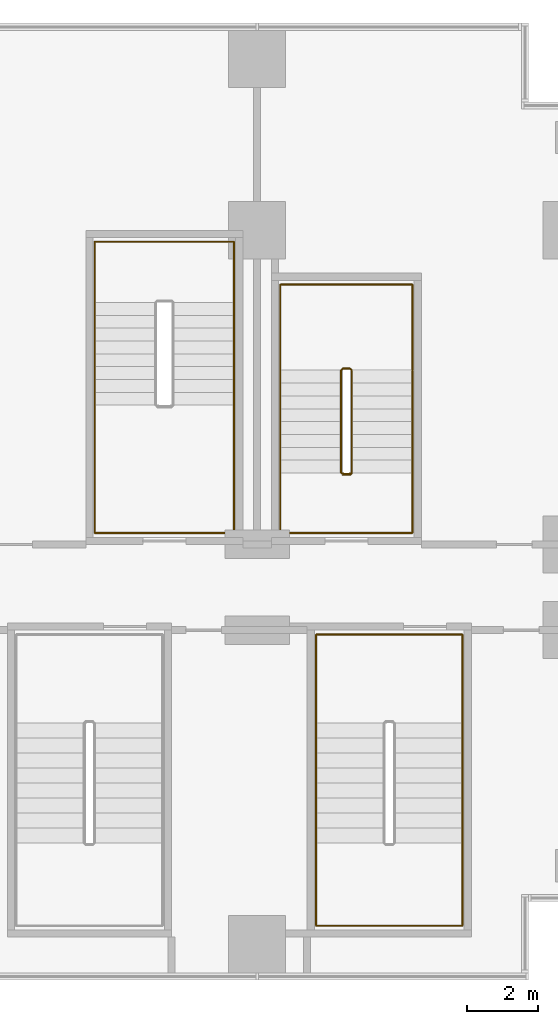
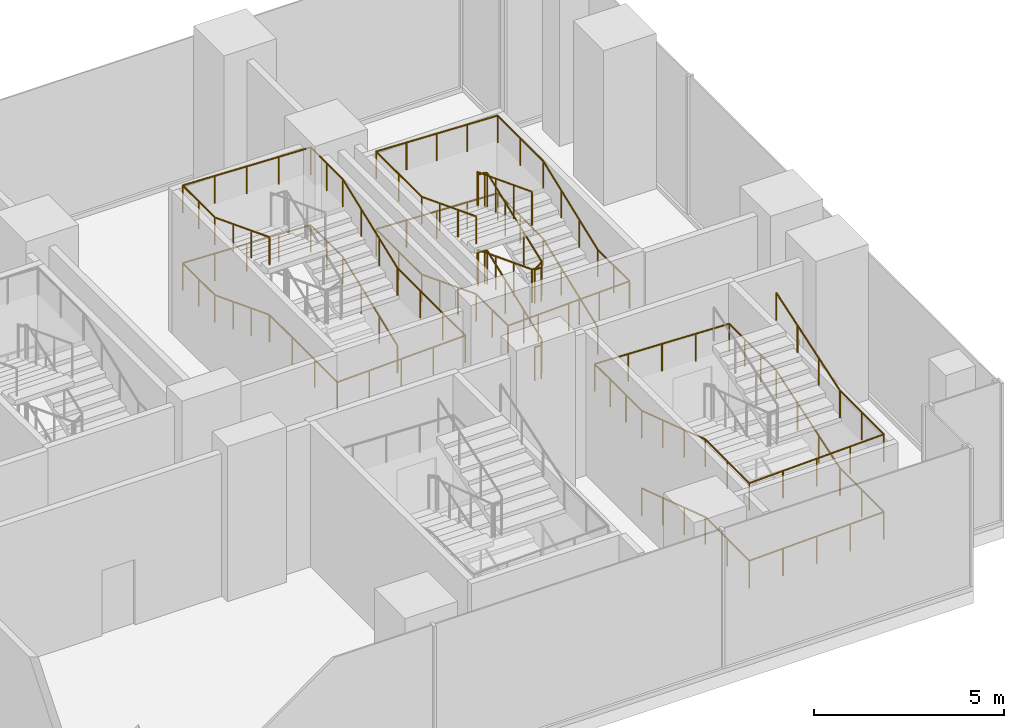
# One storey, part 29 of 30: 4 railings.
"""IFC4 building model written with IfcOpenShell, lengths in metres."""

from ifc_helpers import new_model, si_unit, direction, frame, origin, origin_2d, place, context, subcontext, project, spatial, circle, extrude, material, type_object, element, save


model = new_model("IFC4")

# Units and contexts
model_context = context("Model", 3, precision=1e-05, world=origin(), true_north=direction((0.0, 1.0)))
body_context = subcontext(model_context, "Body", "Model", "MODEL_VIEW")
ifc_project = project(units=[si_unit("LENGTHUNIT", "METRE"), si_unit("AREAUNIT", "SQUARE_METRE"), si_unit("VOLUMEUNIT", "CUBIC_METRE"), si_unit("PLANEANGLEUNIT", "RADIAN"), si_unit("MASSUNIT", "GRAM", prefix="KILO")], contexts=[model_context])

# Site, building, storey
site_placement = place(None, origin())
site = spatial("IfcSite", under=ifc_project, at=site_placement, CompositionType="ELEMENT")
building_placement = place(site_placement, origin())
building = spatial("IfcBuilding", under=site, at=building_placement, Name="Kemantara Hotel Tower", CompositionType="ELEMENT")
storey_placement = place(building_placement, frame((0.0, 0.0, 13.0)))
storey = spatial("IfcBuildingStorey", under=building, at=storey_placement, Name="L02", CompositionType="ELEMENT", Elevation=13.0)

# Railings
ifc_material = material(Name="Stainless steel balustrade", Category="steel")
railing_type_1 = type_object("IfcRailingType", Name="Stair guard 1100 mm", PredefinedType="GUARDRAIL", material=ifc_material)
railing_1_placement = place(storey_placement, frame((73.75, 14.199951171875, 5.0)))
element("IfcRailing", 1, at=railing_1_placement, inside=storey, type_object=railing_type_1, Name="L02 ST5 stair guard 1", PredefinedType="GUARDRAIL", context=body_context, shape_type="SweptSolid", body=[
    extrude(circle(Radius=0.02392578125, at=origin_2d()), frame((0.0, 0.0, 1.076171875), z_axis=(0.0, 0.932982310422, -0.359922225543), x_axis=(-1.0, 0.0, 0.0)), (0.0, 0.0, 1.0), 3.0869140625),
    extrude(circle(Radius=0.02392578125, at=origin_2d()), frame((0.0, 2.880126953125, -0.03515625), z_axis=(0.321175406682, 0.319608697381, -0.891457592206), x_axis=(-0.705375805398, 0.708833529934, 0.0)), (0.0, 0.0, 1.0), 0.15576171875),
    extrude(circle(Radius=0.02392578125, at=origin_2d()), frame((0.050048828125, 2.929931640625, -0.173828125), z_axis=(1.0, 0.0, 0.0), x_axis=(0.0, 1.0, 0.0)), (0.0, 0.0, 1.0), 0.199951171875),
    extrude(circle(Radius=0.02392578125, at=origin_2d()), frame((0.25, 2.929931640625, -0.173828125), z_axis=(0.708833529934, -0.705375805398, 0.0), x_axis=(0.705375805398, 0.708833529934, 0.0)), (0.0, 0.0, 1.0), 0.070556640625),
    extrude(circle(Radius=0.02392578125, at=origin_2d()), frame((0.300048828125, 2.880126953125, -0.173828125), z_axis=(0.0, -0.932982310422, -0.359922225543), x_axis=(1.0, 0.0, 0.0)), (0.0, 0.0, 1.0), 3.0869140625),
    extrude(circle(Radius=0.02392578125, at=origin_2d()), frame((0.300048828125, 0.0, -1.28515625), z_axis=(-0.861032742868, -0.172374719031, -0.478444951847), x_axis=(0.196300278283, -0.98054382908, 0.0)), (0.0, 0.0, 1.0), 0.290283203125),
    extrude(circle(Radius=0.02392578125, at=origin_2d()), frame((0.050048828125, -0.050048828125, -1.423828125), z_axis=(1.0, 0.0, 0.0), x_axis=(0.0, 1.0, 0.0)), (0.0, 0.0, 1.0), 0.199951171875),
    extrude(circle(Radius=0.02392578125, at=origin_2d()), frame((0.25, -0.050048828125, -1.423828125), z_axis=(-0.98054382908, 0.196300278283, 0.0), x_axis=(-0.196300278283, -0.98054382908, 0.0)), (0.0, 0.0, 1.0), 0.2548828125),
    extrude(circle(Radius=0.02392578125, at=origin_2d()), frame((0.0, 0.0, -1.423828125), z_axis=(0.0, 0.932982310422, -0.359922225543), x_axis=(-1.0, 0.0, 0.0)), (0.0, 0.0, 1.0), 3.0869140625),
    extrude(circle(Radius=0.02392578125, at=origin_2d()), frame((0.0, 2.880126953125, -2.53515625), z_axis=(0.321175406682, 0.319608697381, -0.891457592206), x_axis=(-0.705375805398, 0.708833529934, 0.0)), (0.0, 0.0, 1.0), 0.15576171875),
    extrude(circle(Radius=0.02392578125, at=origin_2d()), frame((0.050048828125, 2.929931640625, -2.673828125), z_axis=(1.0, 0.0, 0.0), x_axis=(0.0, 1.0, 0.0)), (0.0, 0.0, 1.0), 0.199951171875),
    extrude(circle(Radius=0.02392578125, at=origin_2d()), frame((0.25, 2.929931640625, -2.673828125), z_axis=(0.708833529934, -0.705375805398, 0.0), x_axis=(0.705375805398, 0.708833529934, 0.0)), (0.0, 0.0, 1.0), 0.070556640625),
    extrude(circle(Radius=0.02392578125, at=origin_2d()), frame((0.300048828125, 2.880126953125, -2.673828125), z_axis=(0.0, -0.932982310422, -0.359922225543), x_axis=(1.0, 0.0, 0.0)), (0.0, 0.0, 1.0), 3.0869140625),
    extrude(circle(Radius=0.02392578125, at=origin_2d()), frame((0.300048828125, 0.0, -3.78515625), z_axis=(-0.321014310373, -0.321014310373, -0.891010451718), x_axis=(0.707106781187, -0.707106781187, 0.0)), (0.0, 0.0, 1.0), 0.156005859375),
    extrude(circle(Radius=0.02392578125, at=origin_2d()), frame((0.25, -0.050048828125, -3.923828125), z_axis=(-1.0, 0.0, 0.0), x_axis=(0.0, -1.0, 0.0)), (0.0, 0.0, 1.0), 0.199951171875),
    extrude(circle(Radius=0.02099609375, at=origin_2d()), origin(), (0.0, 0.0, 1.0), 1.052001953125),
    extrude(circle(Radius=0.02099609375, at=origin_2d()), frame((0.0, 0.9599609375, -0.370361328125)), (0.0, 0.0, 1.0), 1.052001953125),
    extrude(circle(Radius=0.02099609375, at=origin_2d()), frame((0.0, 1.920166015625, -0.74072265625)), (0.0, 0.0, 1.0), 1.052001953125),
    extrude(circle(Radius=0.02099609375, at=origin_2d()), frame((0.0, 2.880126953125, -1.111083984375)), (0.0, 0.0, 1.0), 1.052001953125),
    extrude(circle(Radius=0.02099609375, at=origin_2d()), frame((0.050048828125, 2.929931640625, -1.25)), (0.0, 0.0, 1.0), 1.052001953125),
    extrude(circle(Radius=0.02099609375, at=origin_2d()), frame((0.25, 2.929931640625, -1.25)), (0.0, 0.0, 1.0), 1.052001953125),
    extrude(circle(Radius=0.02099609375, at=origin_2d()), frame((0.300048828125, 2.880126953125, -1.25)), (0.0, 0.0, 1.0), 1.052001953125),
    extrude(circle(Radius=0.02099609375, at=origin_2d()), frame((0.300048828125, 1.920166015625, -1.620361328125)), (0.0, 0.0, 1.0), 1.052001953125),
    extrude(circle(Radius=0.02099609375, at=origin_2d()), frame((0.300048828125, 0.9599609375, -1.99072265625)), (0.0, 0.0, 1.0), 1.052001953125),
    extrude(circle(Radius=0.02099609375, at=origin_2d()), frame((0.300048828125, 0.0, -2.361083984375)), (0.0, 0.0, 1.0), 1.052001953125),
    extrude(circle(Radius=0.02099609375, at=origin_2d()), frame((0.050048828125, -0.050048828125, -2.5)), (0.0, 0.0, 1.0), 1.052001953125),
    extrude(circle(Radius=0.02099609375, at=origin_2d()), frame((0.25, -0.050048828125, -2.5)), (0.0, 0.0, 1.0), 1.052001953125),
    extrude(circle(Radius=0.02099609375, at=origin_2d()), frame((0.0, 0.0, -2.5)), (0.0, 0.0, 1.0), 1.052001953125),
    extrude(circle(Radius=0.02099609375, at=origin_2d()), frame((0.0, 0.9599609375, -2.870361328125)), (0.0, 0.0, 1.0), 1.052001953125),
    extrude(circle(Radius=0.02099609375, at=origin_2d()), frame((0.0, 1.920166015625, -3.24072265625)), (0.0, 0.0, 1.0), 1.052001953125),
    extrude(circle(Radius=0.02099609375, at=origin_2d()), frame((0.0, 2.880126953125, -3.611083984375)), (0.0, 0.0, 1.0), 1.052001953125),
    extrude(circle(Radius=0.02099609375, at=origin_2d()), frame((0.050048828125, 2.929931640625, -3.75)), (0.0, 0.0, 1.0), 1.052001953125),
    extrude(circle(Radius=0.02099609375, at=origin_2d()), frame((0.25, 2.929931640625, -3.75)), (0.0, 0.0, 1.0), 1.052001953125),
    extrude(circle(Radius=0.02099609375, at=origin_2d()), frame((0.300048828125, 2.880126953125, -3.75)), (0.0, 0.0, 1.0), 1.052001953125),
    extrude(circle(Radius=0.02099609375, at=origin_2d()), frame((0.300048828125, 1.920166015625, -4.120361328125)), (0.0, 0.0, 1.0), 1.052001953125),
    extrude(circle(Radius=0.02099609375, at=origin_2d()), frame((0.300048828125, 0.9599609375, -4.49072265625)), (0.0, 0.0, 1.0), 1.052001953125),
    extrude(circle(Radius=0.02099609375, at=origin_2d()), frame((0.300048828125, 0.0, -4.861083984375)), (0.0, 0.0, 1.0), 1.052001953125),
    extrude(circle(Radius=0.02099609375, at=origin_2d()), frame((0.25, -0.050048828125, -5.0)), (0.0, 0.0, 1.0), 1.052001953125),
    extrude(circle(Radius=0.02099609375, at=origin_2d()), frame((0.050048828125, -0.050048828125, -5.0)), (0.0, 0.0, 1.0), 1.052001953125),
])
railing_type_2 = type_object("IfcRailingType", Name="Stair handrail 900 mm", PredefinedType="HANDRAIL", material=ifc_material)
railing_2_placement = place(storey_placement, frame((75.75, 14.199951171875, 0.138916015625)))
element("IfcRailing", 2, at=railing_2_placement, inside=storey, type_object=railing_type_2, Name="L02 ST5 stair handrail 1", PredefinedType="HANDRAIL", context=body_context, shape_type="SweptSolid", body=[
    extrude(circle(Radius=0.02392578125, at=origin_2d()), frame((0.0, 0.0, 0.8759765625), z_axis=(0.0, 0.932982310422, 0.359922225543), x_axis=(-1.0, 0.0, 0.0)), (0.0, 0.0, 1.0), 3.0869140625),
    extrude(circle(Radius=0.02392578125, at=origin_2d()), frame((0.0, 2.880126953125, 1.98681640625), z_axis=(0.0, 1.0, 0.0), x_axis=(-1.0, 0.0, 0.0)), (0.0, 0.0, 1.0), 2.39990234375),
    extrude(circle(Radius=0.02392578125, at=origin_2d()), frame((0.0, 5.280029296875, 1.98681640625), z_axis=(-0.999295917098, 0.0, 0.037518929517), x_axis=(0.0, -1.0, 0.0)), (0.0, 0.0, 1.0), 3.70263671875),
    extrude(circle(Radius=0.02392578125, at=origin_2d()), frame((-3.699951171875, 5.280029296875, 2.1259765625), z_axis=(0.0, -1.0, 0.0), x_axis=(1.0, 0.0, 0.0)), (0.0, 0.0, 1.0), 2.39990234375),
    extrude(circle(Radius=0.02392578125, at=origin_2d()), frame((-3.699951171875, 2.880126953125, 2.1259765625), z_axis=(0.0, -0.932982310422, 0.359922225543), x_axis=(1.0, 0.0, 0.0)), (0.0, 0.0, 1.0), 3.0869140625),
    extrude(circle(Radius=0.02392578125, at=origin_2d()), frame((-3.699951171875, 0.0, 3.23681640625), z_axis=(0.0, -1.0, 0.0), x_axis=(1.0, 0.0, 0.0)), (0.0, 0.0, 1.0), 1.679931640625),
    extrude(circle(Radius=0.02392578125, at=origin_2d()), frame((-3.699951171875, -1.679931640625, 3.23681640625), z_axis=(0.999295917098, 0.0, 0.037518929517), x_axis=(0.0, 1.0, 0.0)), (0.0, 0.0, 1.0), 3.70263671875),
    extrude(circle(Radius=0.02392578125, at=origin_2d()), frame((0.0, -1.679931640625, 3.3759765625), z_axis=(0.0, 1.0, 0.0), x_axis=(-1.0, 0.0, 0.0)), (0.0, 0.0, 1.0), 1.679931640625),
    extrude(circle(Radius=0.02392578125, at=origin_2d()), frame((0.0, 0.0, 3.3759765625), z_axis=(0.0, 0.932982310422, 0.359922225543), x_axis=(-1.0, 0.0, 0.0)), (0.0, 0.0, 1.0), 3.0869140625),
    extrude(circle(Radius=0.02392578125, at=origin_2d()), frame((0.0, 2.880126953125, 4.48681640625), z_axis=(0.0, 1.0, 0.0), x_axis=(-1.0, 0.0, 0.0)), (0.0, 0.0, 1.0), 2.39990234375),
    extrude(circle(Radius=0.02392578125, at=origin_2d()), frame((0.0, 5.280029296875, 4.48681640625), z_axis=(-0.999295917098, 0.0, 0.037518929517), x_axis=(0.0, -1.0, 0.0)), (0.0, 0.0, 1.0), 3.70263671875),
    extrude(circle(Radius=0.02392578125, at=origin_2d()), frame((-3.699951171875, 5.280029296875, 4.6259765625), z_axis=(0.0, -1.0, 0.0), x_axis=(1.0, 0.0, 0.0)), (0.0, 0.0, 1.0), 2.39990234375),
    extrude(circle(Radius=0.02392578125, at=origin_2d()), frame((-3.699951171875, 2.880126953125, 4.6259765625), z_axis=(0.0, -0.932982310422, 0.359922225543), x_axis=(1.0, 0.0, 0.0)), (0.0, 0.0, 1.0), 3.0869140625),
    extrude(circle(Radius=0.02099609375, at=origin_2d()), origin(), (0.0, 0.0, 1.0), 0.851806640625),
    extrude(circle(Radius=0.02099609375, at=origin_2d()), frame((0.0, 0.9599609375, 0.370361328125)), (0.0, 0.0, 1.0), 0.851806640625),
    extrude(circle(Radius=0.02099609375, at=origin_2d()), frame((0.0, 1.920166015625, 0.74072265625)), (0.0, 0.0, 1.0), 0.851806640625),
    extrude(circle(Radius=0.02099609375, at=origin_2d()), frame((0.0, 2.880126953125, 1.111083984375)), (0.0, 0.0, 1.0), 0.851806640625),
    extrude(circle(Radius=0.02099609375, at=origin_2d()), frame((0.0, 4.080078125, 1.111083984375)), (0.0, 0.0, 1.0), 0.851806640625),
    extrude(circle(Radius=0.02099609375, at=origin_2d()), frame((0.0, 5.280029296875, 1.111083984375)), (0.0, 0.0, 1.0), 0.851806640625),
    extrude(circle(Radius=0.02099609375, at=origin_2d()), frame((-0.925048828125, 5.280029296875, 1.145751953125)), (0.0, 0.0, 1.0), 0.851806640625),
    extrude(circle(Radius=0.02099609375, at=origin_2d()), frame((-1.85009765625, 5.280029296875, 1.1806640625)), (0.0, 0.0, 1.0), 0.851806640625),
    extrude(circle(Radius=0.02099609375, at=origin_2d()), frame((-2.77490234375, 5.280029296875, 1.21533203125)), (0.0, 0.0, 1.0), 0.851806640625),
    extrude(circle(Radius=0.02099609375, at=origin_2d()), frame((-3.699951171875, 5.280029296875, 1.25)), (0.0, 0.0, 1.0), 0.851806640625),
    extrude(circle(Radius=0.02099609375, at=origin_2d()), frame((-3.699951171875, 4.080078125, 1.25)), (0.0, 0.0, 1.0), 0.851806640625),
    extrude(circle(Radius=0.02099609375, at=origin_2d()), frame((-3.699951171875, 2.880126953125, 1.25)), (0.0, 0.0, 1.0), 0.851806640625),
    extrude(circle(Radius=0.02099609375, at=origin_2d()), frame((-3.699951171875, 1.920166015625, 1.620361328125)), (0.0, 0.0, 1.0), 0.851806640625),
    extrude(circle(Radius=0.02099609375, at=origin_2d()), frame((-3.699951171875, 0.9599609375, 1.99072265625)), (0.0, 0.0, 1.0), 0.851806640625),
    extrude(circle(Radius=0.02099609375, at=origin_2d()), frame((-3.699951171875, 0.0, 2.361083984375)), (0.0, 0.0, 1.0), 0.851806640625),
    extrude(circle(Radius=0.02099609375, at=origin_2d()), frame((-3.699951171875, -0.83984375, 2.361083984375)), (0.0, 0.0, 1.0), 0.851806640625),
    extrude(circle(Radius=0.02099609375, at=origin_2d()), frame((-3.699951171875, -1.679931640625, 2.361083984375)), (0.0, 0.0, 1.0), 0.851806640625),
    extrude(circle(Radius=0.02099609375, at=origin_2d()), frame((-2.77490234375, -1.679931640625, 2.395751953125)), (0.0, 0.0, 1.0), 0.851806640625),
    extrude(circle(Radius=0.02099609375, at=origin_2d()), frame((-1.85009765625, -1.679931640625, 2.4306640625)), (0.0, 0.0, 1.0), 0.851806640625),
    extrude(circle(Radius=0.02099609375, at=origin_2d()), frame((-0.925048828125, -1.679931640625, 2.46533203125)), (0.0, 0.0, 1.0), 0.851806640625),
    extrude(circle(Radius=0.02099609375, at=origin_2d()), frame((0.0, -1.679931640625, 2.5)), (0.0, 0.0, 1.0), 0.851806640625),
    extrude(circle(Radius=0.02099609375, at=origin_2d()), frame((0.0, -0.83984375, 2.5)), (0.0, 0.0, 1.0), 0.851806640625),
    extrude(circle(Radius=0.02099609375, at=origin_2d()), frame((0.0, 0.0, 2.5)), (0.0, 0.0, 1.0), 0.851806640625),
    extrude(circle(Radius=0.02099609375, at=origin_2d()), frame((0.0, 0.9599609375, 2.870361328125)), (0.0, 0.0, 1.0), 0.851806640625),
    extrude(circle(Radius=0.02099609375, at=origin_2d()), frame((0.0, 1.920166015625, 3.24072265625)), (0.0, 0.0, 1.0), 0.851806640625),
    extrude(circle(Radius=0.02099609375, at=origin_2d()), frame((0.0, 2.880126953125, 3.611083984375)), (0.0, 0.0, 1.0), 0.851806640625),
    extrude(circle(Radius=0.02099609375, at=origin_2d()), frame((0.0, 4.080078125, 3.611083984375)), (0.0, 0.0, 1.0), 0.851806640625),
    extrude(circle(Radius=0.02099609375, at=origin_2d()), frame((0.0, 5.280029296875, 3.611083984375)), (0.0, 0.0, 1.0), 0.851806640625),
    extrude(circle(Radius=0.02099609375, at=origin_2d()), frame((-0.925048828125, 5.280029296875, 3.645751953125)), (0.0, 0.0, 1.0), 0.851806640625),
    extrude(circle(Radius=0.02099609375, at=origin_2d()), frame((-1.85009765625, 5.280029296875, 3.6806640625)), (0.0, 0.0, 1.0), 0.851806640625),
    extrude(circle(Radius=0.02099609375, at=origin_2d()), frame((-2.77490234375, 5.280029296875, 3.71533203125)), (0.0, 0.0, 1.0), 0.851806640625),
    extrude(circle(Radius=0.02099609375, at=origin_2d()), frame((-3.699951171875, 5.280029296875, 3.75)), (0.0, 0.0, 1.0), 0.851806640625),
    extrude(circle(Radius=0.02099609375, at=origin_2d()), frame((-3.699951171875, 4.080078125, 3.75)), (0.0, 0.0, 1.0), 0.851806640625),
    extrude(circle(Radius=0.02099609375, at=origin_2d()), frame((-3.699951171875, 2.880126953125, 3.75)), (0.0, 0.0, 1.0), 0.851806640625),
    extrude(circle(Radius=0.02099609375, at=origin_2d()), frame((-3.699951171875, 1.920166015625, 4.120361328125)), (0.0, 0.0, 1.0), 0.851806640625),
    extrude(circle(Radius=0.02099609375, at=origin_2d()), frame((-3.699951171875, 0.9599609375, 4.49072265625)), (0.0, 0.0, 1.0), 0.851806640625),
    extrude(circle(Radius=0.02099609375, at=origin_2d()), frame((-3.699951171875, 0.0, 4.861083984375)), (0.0, 0.0, 1.0), 0.851806640625),
])
railing_3_placement = place(storey_placement, frame((70.75, 16.10009765625, 0.138916015625)))
element("IfcRailing", 3, at=railing_3_placement, inside=storey, type_object=railing_type_2, Name="L02 PS1 stair handrail 1", PredefinedType="HANDRAIL", context=body_context, shape_type="SweptSolid", body=[
    extrude(circle(Radius=0.02392578125, at=origin_2d()), frame((0.0, 0.0, 0.8759765625), z_axis=(0.0, 0.932972064118, 0.359948784656), x_axis=(-1.0, 0.0, 0.0)), (0.0, 0.0, 1.0), 3.086669921875),
    extrude(circle(Radius=0.02392578125, at=origin_2d()), frame((0.0, 2.8798828125, 1.98681640625), z_axis=(0.0, 1.0, 0.0), x_axis=(-1.0, 0.0, 0.0)), (0.0, 0.0, 1.0), 1.699951171875),
    extrude(circle(Radius=0.02392578125, at=origin_2d()), frame((0.0, 4.579833984375, 1.98681640625), z_axis=(-0.999366197222, 0.0, 0.035597806825), x_axis=(0.0, -1.0, 0.0)), (0.0, 0.0, 1.0), 3.90234375),
    extrude(circle(Radius=0.02392578125, at=origin_2d()), frame((-3.89990234375, 4.579833984375, 2.1259765625), z_axis=(0.0, -1.0, 0.0), x_axis=(1.0, 0.0, 0.0)), (0.0, 0.0, 1.0), 1.699951171875),
    extrude(circle(Radius=0.02392578125, at=origin_2d()), frame((-3.89990234375, 2.8798828125, 2.1259765625), z_axis=(0.0, -0.932972064118, 0.359948784656), x_axis=(1.0, 0.0, 0.0)), (0.0, 0.0, 1.0), 3.086669921875),
    extrude(circle(Radius=0.02392578125, at=origin_2d()), frame((-3.89990234375, 0.0, 3.23681640625), z_axis=(0.0, -1.0, 0.0), x_axis=(1.0, 0.0, 0.0)), (0.0, 0.0, 1.0), 3.580078125),
    extrude(circle(Radius=0.02392578125, at=origin_2d()), frame((-3.89990234375, -3.580078125, 3.23681640625), z_axis=(0.999366197222, 0.0, 0.035597806825), x_axis=(0.0, 1.0, 0.0)), (0.0, 0.0, 1.0), 3.90234375),
    extrude(circle(Radius=0.02392578125, at=origin_2d()), frame((0.0, -3.580078125, 3.3759765625), z_axis=(0.0, 1.0, 0.0), x_axis=(-1.0, 0.0, 0.0)), (0.0, 0.0, 1.0), 3.580078125),
    extrude(circle(Radius=0.02392578125, at=origin_2d()), frame((0.0, 0.0, 3.3759765625), z_axis=(0.0, 0.932972064118, 0.359948784656), x_axis=(-1.0, 0.0, 0.0)), (0.0, 0.0, 1.0), 3.086669921875),
    extrude(circle(Radius=0.02392578125, at=origin_2d()), frame((0.0, 2.8798828125, 4.48681640625), z_axis=(0.0, 1.0, 0.0), x_axis=(-1.0, 0.0, 0.0)), (0.0, 0.0, 1.0), 1.699951171875),
    extrude(circle(Radius=0.02392578125, at=origin_2d()), frame((0.0, 4.579833984375, 4.48681640625), z_axis=(-0.999366197222, 0.0, 0.035597806825), x_axis=(0.0, -1.0, 0.0)), (0.0, 0.0, 1.0), 3.90234375),
    extrude(circle(Radius=0.02392578125, at=origin_2d()), frame((-3.89990234375, 4.579833984375, 4.6259765625), z_axis=(0.0, -1.0, 0.0), x_axis=(1.0, 0.0, 0.0)), (0.0, 0.0, 1.0), 1.699951171875),
    extrude(circle(Radius=0.02392578125, at=origin_2d()), frame((-3.89990234375, 2.8798828125, 4.6259765625), z_axis=(0.0, -0.932972064118, 0.359948784656), x_axis=(1.0, 0.0, 0.0)), (0.0, 0.0, 1.0), 3.086669921875),
    extrude(circle(Radius=0.02099609375, at=origin_2d()), origin(), (0.0, 0.0, 1.0), 0.851806640625),
    extrude(circle(Radius=0.02099609375, at=origin_2d()), frame((0.0, 0.9599609375, 0.370361328125)), (0.0, 0.0, 1.0), 0.851806640625),
    extrude(circle(Radius=0.02099609375, at=origin_2d()), frame((0.0, 1.919921875, 0.74072265625)), (0.0, 0.0, 1.0), 0.851806640625),
    extrude(circle(Radius=0.02099609375, at=origin_2d()), frame((0.0, 2.8798828125, 1.111083984375)), (0.0, 0.0, 1.0), 0.851806640625),
    extrude(circle(Radius=0.02099609375, at=origin_2d()), frame((0.0, 3.72998046875, 1.111083984375)), (0.0, 0.0, 1.0), 0.851806640625),
    extrude(circle(Radius=0.02099609375, at=origin_2d()), frame((0.0, 4.579833984375, 1.111083984375)), (0.0, 0.0, 1.0), 0.851806640625),
    extrude(circle(Radius=0.02099609375, at=origin_2d()), frame((-0.97509765625, 4.579833984375, 1.145751953125)), (0.0, 0.0, 1.0), 0.851806640625),
    extrude(circle(Radius=0.02099609375, at=origin_2d()), frame((-1.949951171875, 4.579833984375, 1.1806640625)), (0.0, 0.0, 1.0), 0.851806640625),
    extrude(circle(Radius=0.02099609375, at=origin_2d()), frame((-2.9248046875, 4.579833984375, 1.21533203125)), (0.0, 0.0, 1.0), 0.851806640625),
    extrude(circle(Radius=0.02099609375, at=origin_2d()), frame((-3.89990234375, 4.579833984375, 1.25)), (0.0, 0.0, 1.0), 0.851806640625),
    extrude(circle(Radius=0.02099609375, at=origin_2d()), frame((-3.89990234375, 3.72998046875, 1.25)), (0.0, 0.0, 1.0), 0.851806640625),
    extrude(circle(Radius=0.02099609375, at=origin_2d()), frame((-3.89990234375, 2.8798828125, 1.25)), (0.0, 0.0, 1.0), 0.851806640625),
    extrude(circle(Radius=0.02099609375, at=origin_2d()), frame((-3.89990234375, 1.919921875, 1.620361328125)), (0.0, 0.0, 1.0), 0.851806640625),
    extrude(circle(Radius=0.02099609375, at=origin_2d()), frame((-3.89990234375, 0.9599609375, 1.99072265625)), (0.0, 0.0, 1.0), 0.851806640625),
    extrude(circle(Radius=0.02099609375, at=origin_2d()), frame((-3.89990234375, 0.0, 2.361083984375)), (0.0, 0.0, 1.0), 0.851806640625),
    extrude(circle(Radius=0.02099609375, at=origin_2d()), frame((-3.89990234375, -1.193359375, 2.361083984375)), (0.0, 0.0, 1.0), 0.851806640625),
    extrude(circle(Radius=0.02099609375, at=origin_2d()), frame((-3.89990234375, -2.38671875, 2.361083984375)), (0.0, 0.0, 1.0), 0.851806640625),
    extrude(circle(Radius=0.02099609375, at=origin_2d()), frame((-3.89990234375, -3.580078125, 2.361083984375)), (0.0, 0.0, 1.0), 0.851806640625),
    extrude(circle(Radius=0.02099609375, at=origin_2d()), frame((-2.9248046875, -3.580078125, 2.395751953125)), (0.0, 0.0, 1.0), 0.851806640625),
    extrude(circle(Radius=0.02099609375, at=origin_2d()), frame((-1.949951171875, -3.580078125, 2.4306640625)), (0.0, 0.0, 1.0), 0.851806640625),
    extrude(circle(Radius=0.02099609375, at=origin_2d()), frame((-0.97509765625, -3.580078125, 2.46533203125)), (0.0, 0.0, 1.0), 0.851806640625),
    extrude(circle(Radius=0.02099609375, at=origin_2d()), frame((0.0, -3.580078125, 2.5)), (0.0, 0.0, 1.0), 0.851806640625),
    extrude(circle(Radius=0.02099609375, at=origin_2d()), frame((0.0, -2.38671875, 2.5)), (0.0, 0.0, 1.0), 0.851806640625),
    extrude(circle(Radius=0.02099609375, at=origin_2d()), frame((0.0, -1.193359375, 2.5)), (0.0, 0.0, 1.0), 0.851806640625),
    extrude(circle(Radius=0.02099609375, at=origin_2d()), frame((0.0, 0.0, 2.5)), (0.0, 0.0, 1.0), 0.851806640625),
    extrude(circle(Radius=0.02099609375, at=origin_2d()), frame((0.0, 0.9599609375, 2.870361328125)), (0.0, 0.0, 1.0), 0.851806640625),
    extrude(circle(Radius=0.02099609375, at=origin_2d()), frame((0.0, 1.919921875, 3.24072265625)), (0.0, 0.0, 1.0), 0.851806640625),
    extrude(circle(Radius=0.02099609375, at=origin_2d()), frame((0.0, 2.8798828125, 3.611083984375)), (0.0, 0.0, 1.0), 0.851806640625),
    extrude(circle(Radius=0.02099609375, at=origin_2d()), frame((0.0, 3.72998046875, 3.611083984375)), (0.0, 0.0, 1.0), 0.851806640625),
    extrude(circle(Radius=0.02099609375, at=origin_2d()), frame((0.0, 4.579833984375, 3.611083984375)), (0.0, 0.0, 1.0), 0.851806640625),
    extrude(circle(Radius=0.02099609375, at=origin_2d()), frame((-0.97509765625, 4.579833984375, 3.645751953125)), (0.0, 0.0, 1.0), 0.851806640625),
    extrude(circle(Radius=0.02099609375, at=origin_2d()), frame((-1.949951171875, 4.579833984375, 3.6806640625)), (0.0, 0.0, 1.0), 0.851806640625),
    extrude(circle(Radius=0.02099609375, at=origin_2d()), frame((-2.9248046875, 4.579833984375, 3.71533203125)), (0.0, 0.0, 1.0), 0.851806640625),
    extrude(circle(Radius=0.02099609375, at=origin_2d()), frame((-3.89990234375, 4.579833984375, 3.75)), (0.0, 0.0, 1.0), 0.851806640625),
    extrude(circle(Radius=0.02099609375, at=origin_2d()), frame((-3.89990234375, 3.72998046875, 3.75)), (0.0, 0.0, 1.0), 0.851806640625),
    extrude(circle(Radius=0.02099609375, at=origin_2d()), frame((-3.89990234375, 2.8798828125, 3.75)), (0.0, 0.0, 1.0), 0.851806640625),
    extrude(circle(Radius=0.02099609375, at=origin_2d()), frame((-3.89990234375, 1.919921875, 4.120361328125)), (0.0, 0.0, 1.0), 0.851806640625),
    extrude(circle(Radius=0.02099609375, at=origin_2d()), frame((-3.89990234375, 0.9599609375, 4.49072265625)), (0.0, 0.0, 1.0), 0.851806640625),
    extrude(circle(Radius=0.02099609375, at=origin_2d()), frame((-3.89990234375, 0.0, 4.861083984375)), (0.0, 0.0, 1.0), 0.851806640625),
])
railing_4_placement = place(storey_placement, frame((73.050048828125, 7.199951171875, 0.138916015625)))
element("IfcRailing", 4, at=railing_4_placement, inside=storey, type_object=railing_type_2, Name="L02 PS5 stair handrail 1", PredefinedType="HANDRAIL", context=body_context, shape_type="SweptSolid", body=[
    extrude(circle(Radius=0.02392578125, at=origin_2d()), frame((0.0, 0.0, 0.8759765625), z_axis=(0.0, -0.949432600572, 0.313970917396), x_axis=(1.0, 0.0, 0.0)), (0.0, 0.0, 1.0), 3.538818359375),
    extrude(circle(Radius=0.02392578125, at=origin_2d()), frame((0.0, -3.35986328125, 1.98681640625), z_axis=(0.0, -1.0, 0.0), x_axis=(1.0, 0.0, 0.0)), (0.0, 0.0, 1.0), 2.320068359375),
    extrude(circle(Radius=0.02392578125, at=origin_2d()), frame((0.0, -5.679931640625, 1.98681640625), z_axis=(0.999426459345, 0.0, 0.033863732232), x_axis=(0.0, 1.0, 0.0)), (0.0, 0.0, 1.0), 4.102294921875),
    extrude(circle(Radius=0.02392578125, at=origin_2d()), frame((4.099853515625, -5.679931640625, 2.1259765625), z_axis=(0.0, 1.0, 0.0), x_axis=(-1.0, 0.0, 0.0)), (0.0, 0.0, 1.0), 2.320068359375),
    extrude(circle(Radius=0.02392578125, at=origin_2d()), frame((4.099853515625, -3.35986328125, 2.1259765625), z_axis=(0.0, 0.949432600572, 0.313970917396), x_axis=(-1.0, 0.0, 0.0)), (0.0, 0.0, 1.0), 3.538818359375),
    extrude(circle(Radius=0.02392578125, at=origin_2d()), frame((4.099853515625, 0.0, 3.23681640625), z_axis=(0.0, 1.0, 0.0), x_axis=(-1.0, 0.0, 0.0)), (0.0, 0.0, 1.0), 2.47998046875),
    extrude(circle(Radius=0.02392578125, at=origin_2d()), frame((4.099853515625, 2.47998046875, 3.23681640625), z_axis=(-0.999426459345, 0.0, 0.033863732232), x_axis=(0.0, -1.0, 0.0)), (0.0, 0.0, 1.0), 4.102294921875),
    extrude(circle(Radius=0.02392578125, at=origin_2d()), frame((0.0, 2.47998046875, 3.3759765625), z_axis=(0.0, -1.0, 0.0), x_axis=(1.0, 0.0, 0.0)), (0.0, 0.0, 1.0), 2.47998046875),
    extrude(circle(Radius=0.02392578125, at=origin_2d()), frame((0.0, 0.0, 3.3759765625), z_axis=(0.0, -0.949432600572, 0.313970917396), x_axis=(1.0, 0.0, 0.0)), (0.0, 0.0, 1.0), 3.538818359375),
    extrude(circle(Radius=0.02392578125, at=origin_2d()), frame((0.0, -3.35986328125, 4.48681640625), z_axis=(0.0, -1.0, 0.0), x_axis=(1.0, 0.0, 0.0)), (0.0, 0.0, 1.0), 2.320068359375),
    extrude(circle(Radius=0.02392578125, at=origin_2d()), frame((0.0, -5.679931640625, 4.48681640625), z_axis=(0.999426459345, 0.0, 0.033863732232), x_axis=(0.0, 1.0, 0.0)), (0.0, 0.0, 1.0), 4.102294921875),
    extrude(circle(Radius=0.02392578125, at=origin_2d()), frame((4.099853515625, -5.679931640625, 4.6259765625), z_axis=(0.0, 1.0, 0.0), x_axis=(-1.0, 0.0, 0.0)), (0.0, 0.0, 1.0), 2.320068359375),
    extrude(circle(Radius=0.02392578125, at=origin_2d()), frame((4.099853515625, -3.35986328125, 4.6259765625), z_axis=(0.0, 0.949432600572, 0.313970917396), x_axis=(-1.0, 0.0, 0.0)), (0.0, 0.0, 1.0), 3.538818359375),
    extrude(circle(Radius=0.02099609375, at=origin_2d()), origin(), (0.0, 0.0, 1.0), 0.851806640625),
    extrude(circle(Radius=0.02099609375, at=origin_2d()), frame((0.0, -1.119873046875, 0.370361328125)), (0.0, 0.0, 1.0), 0.851806640625),
    extrude(circle(Radius=0.02099609375, at=origin_2d()), frame((0.0, -2.239990234375, 0.74072265625)), (0.0, 0.0, 1.0), 0.851806640625),
    extrude(circle(Radius=0.02099609375, at=origin_2d()), frame((0.0, -3.35986328125, 1.111083984375)), (0.0, 0.0, 1.0), 0.851806640625),
    extrude(circle(Radius=0.02099609375, at=origin_2d()), frame((0.0, -4.52001953125, 1.111083984375)), (0.0, 0.0, 1.0), 0.851806640625),
    extrude(circle(Radius=0.02099609375, at=origin_2d()), frame((0.0, -5.679931640625, 1.111083984375)), (0.0, 0.0, 1.0), 0.851806640625),
    extrude(circle(Radius=0.02099609375, at=origin_2d()), frame((1.02490234375, -5.679931640625, 1.145751953125)), (0.0, 0.0, 1.0), 0.851806640625),
    extrude(circle(Radius=0.02099609375, at=origin_2d()), frame((2.0498046875, -5.679931640625, 1.1806640625)), (0.0, 0.0, 1.0), 0.851806640625),
    extrude(circle(Radius=0.02099609375, at=origin_2d()), frame((3.074951171875, -5.679931640625, 1.21533203125)), (0.0, 0.0, 1.0), 0.851806640625),
    extrude(circle(Radius=0.02099609375, at=origin_2d()), frame((4.099853515625, -5.679931640625, 1.25)), (0.0, 0.0, 1.0), 0.851806640625),
    extrude(circle(Radius=0.02099609375, at=origin_2d()), frame((4.099853515625, -4.52001953125, 1.25)), (0.0, 0.0, 1.0), 0.851806640625),
    extrude(circle(Radius=0.02099609375, at=origin_2d()), frame((4.099853515625, -3.35986328125, 1.25)), (0.0, 0.0, 1.0), 0.851806640625),
    extrude(circle(Radius=0.02099609375, at=origin_2d()), frame((4.099853515625, -2.239990234375, 1.620361328125)), (0.0, 0.0, 1.0), 0.851806640625),
    extrude(circle(Radius=0.02099609375, at=origin_2d()), frame((4.099853515625, -1.119873046875, 1.99072265625)), (0.0, 0.0, 1.0), 0.851806640625),
    extrude(circle(Radius=0.02099609375, at=origin_2d()), frame((4.099853515625, 0.0, 2.361083984375)), (0.0, 0.0, 1.0), 0.851806640625),
    extrude(circle(Radius=0.02099609375, at=origin_2d()), frame((4.099853515625, 0.82666015625, 2.361083984375)), (0.0, 0.0, 1.0), 0.851806640625),
    extrude(circle(Radius=0.02099609375, at=origin_2d()), frame((4.099853515625, 1.6533203125, 2.361083984375)), (0.0, 0.0, 1.0), 0.851806640625),
    extrude(circle(Radius=0.02099609375, at=origin_2d()), frame((4.099853515625, 2.47998046875, 2.361083984375)), (0.0, 0.0, 1.0), 0.851806640625),
    extrude(circle(Radius=0.02099609375, at=origin_2d()), frame((3.074951171875, 2.47998046875, 2.395751953125)), (0.0, 0.0, 1.0), 0.851806640625),
    extrude(circle(Radius=0.02099609375, at=origin_2d()), frame((2.0498046875, 2.47998046875, 2.4306640625)), (0.0, 0.0, 1.0), 0.851806640625),
    extrude(circle(Radius=0.02099609375, at=origin_2d()), frame((1.02490234375, 2.47998046875, 2.46533203125)), (0.0, 0.0, 1.0), 0.851806640625),
    extrude(circle(Radius=0.02099609375, at=origin_2d()), frame((0.0, 2.47998046875, 2.5)), (0.0, 0.0, 1.0), 0.851806640625),
    extrude(circle(Radius=0.02099609375, at=origin_2d()), frame((0.0, 1.6533203125, 2.5)), (0.0, 0.0, 1.0), 0.851806640625),
    extrude(circle(Radius=0.02099609375, at=origin_2d()), frame((0.0, 0.82666015625, 2.5)), (0.0, 0.0, 1.0), 0.851806640625),
    extrude(circle(Radius=0.02099609375, at=origin_2d()), frame((0.0, 0.0, 2.5)), (0.0, 0.0, 1.0), 0.851806640625),
    extrude(circle(Radius=0.02099609375, at=origin_2d()), frame((0.0, -1.119873046875, 2.870361328125)), (0.0, 0.0, 1.0), 0.851806640625),
    extrude(circle(Radius=0.02099609375, at=origin_2d()), frame((0.0, -2.239990234375, 3.24072265625)), (0.0, 0.0, 1.0), 0.851806640625),
    extrude(circle(Radius=0.02099609375, at=origin_2d()), frame((0.0, -3.35986328125, 3.611083984375)), (0.0, 0.0, 1.0), 0.851806640625),
    extrude(circle(Radius=0.02099609375, at=origin_2d()), frame((0.0, -4.52001953125, 3.611083984375)), (0.0, 0.0, 1.0), 0.851806640625),
    extrude(circle(Radius=0.02099609375, at=origin_2d()), frame((0.0, -5.679931640625, 3.611083984375)), (0.0, 0.0, 1.0), 0.851806640625),
    extrude(circle(Radius=0.02099609375, at=origin_2d()), frame((1.02490234375, -5.679931640625, 3.645751953125)), (0.0, 0.0, 1.0), 0.851806640625),
    extrude(circle(Radius=0.02099609375, at=origin_2d()), frame((2.0498046875, -5.679931640625, 3.6806640625)), (0.0, 0.0, 1.0), 0.851806640625),
    extrude(circle(Radius=0.02099609375, at=origin_2d()), frame((3.074951171875, -5.679931640625, 3.71533203125)), (0.0, 0.0, 1.0), 0.851806640625),
    extrude(circle(Radius=0.02099609375, at=origin_2d()), frame((4.099853515625, -5.679931640625, 3.75)), (0.0, 0.0, 1.0), 0.851806640625),
    extrude(circle(Radius=0.02099609375, at=origin_2d()), frame((4.099853515625, -4.52001953125, 3.75)), (0.0, 0.0, 1.0), 0.851806640625),
    extrude(circle(Radius=0.02099609375, at=origin_2d()), frame((4.099853515625, -3.35986328125, 3.75)), (0.0, 0.0, 1.0), 0.851806640625),
    extrude(circle(Radius=0.02099609375, at=origin_2d()), frame((4.099853515625, -2.239990234375, 4.120361328125)), (0.0, 0.0, 1.0), 0.851806640625),
    extrude(circle(Radius=0.02099609375, at=origin_2d()), frame((4.099853515625, -1.119873046875, 4.49072265625)), (0.0, 0.0, 1.0), 0.851806640625),
    extrude(circle(Radius=0.02099609375, at=origin_2d()), frame((4.099853515625, 0.0, 4.861083984375)), (0.0, 0.0, 1.0), 0.851806640625),
])

save(model, "model.ifc")
